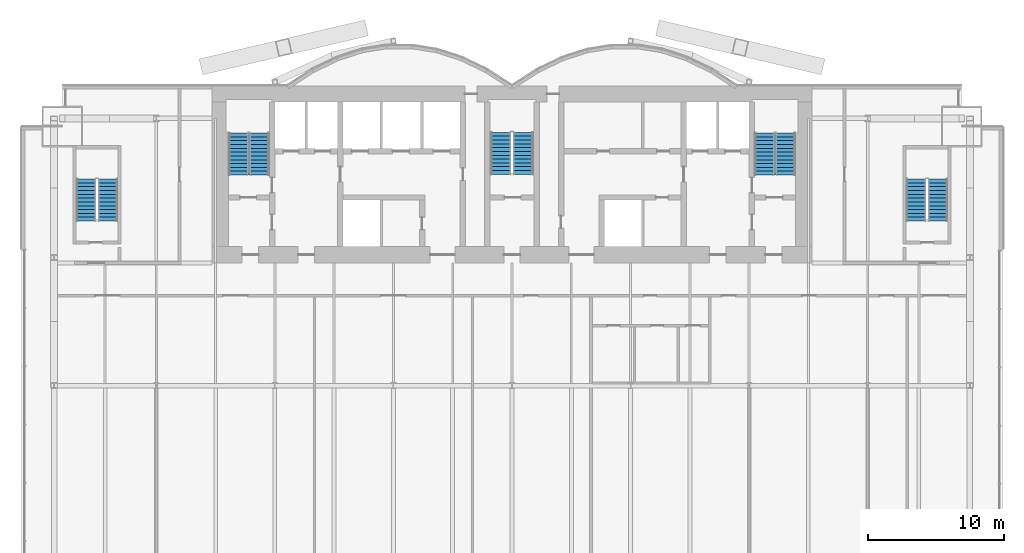
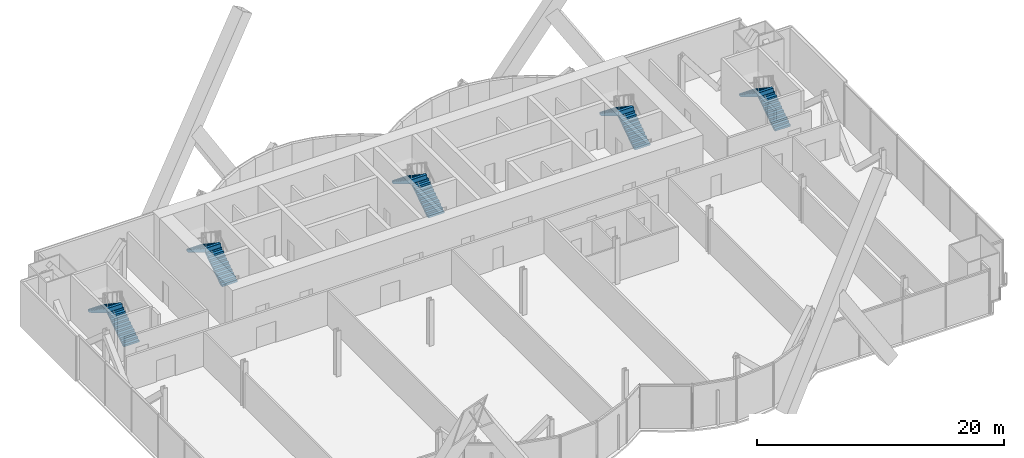
# One storey, part 20 of 23: 10 stair flights, 5 elements without a shape of their own.
"""IFC4 building model written with IfcOpenShell, lengths in metres."""

from ifc_helpers import new_model, si_unit, direction, frame, origin, place, context, subcontext, project, spatial, polyline, outline, extrude, material, type_object, element, aggregate, save


model = new_model("IFC4")

# Units and contexts
model_context = context("Model", 3, precision=1e-05, world=origin(), true_north=direction((0.0, 1.0)))
body_context = subcontext(model_context, "Body", "Model", "MODEL_VIEW")
ifc_project = project(units=[si_unit("LENGTHUNIT", "METRE"), si_unit("AREAUNIT", "SQUARE_METRE"), si_unit("VOLUMEUNIT", "CUBIC_METRE"), si_unit("PLANEANGLEUNIT", "RADIAN"), si_unit("MASSUNIT", "GRAM", prefix="KILO")], contexts=[model_context])

# Site, building, storey
site_placement = place(None, origin())
site = spatial("IfcSite", under=ifc_project, at=site_placement, CompositionType="ELEMENT")
building_placement = place(site_placement, origin())
building = spatial("IfcBuilding", under=site, at=building_placement, Name="Bicima Exchange Tower", CompositionType="ELEMENT")
storey_placement = place(building_placement, frame((0.0, 0.0, 53.0)))
storey = spatial("IfcBuildingStorey", under=building, at=storey_placement, Name="L10", CompositionType="ELEMENT", Elevation=53.0)

# Stair, stair flights
ifc_material = material(Name="Concrete C50/60", Category="concrete")
stair_type_1 = type_object("IfcStairType", Name="Exit stair", PredefinedType="HALF_TURN_STAIR", material=ifc_material)
stair_1_placement = place(storey_placement, origin())
stair_1 = element("IfcStair", 1, at=stair_1_placement, inside=storey, type_object=stair_type_1, Name="L10 West exit stair", PredefinedType="HALF_TURN_STAIR")
stair_flight_type_1 = type_object("IfcStairFlightType", Name="Stair flight RC", PredefinedType="STRAIGHT", material=ifc_material)
stair_flight_1_placement = place(storey_placement, frame((-18.52490234375, -6.550048828125, 0.0), z_axis=(0.0, 0.0, 1.0), x_axis=(0.0, 1.0, 0.0)))
stair_flight_1 = element("IfcStairFlight", 2, at=stair_flight_1_placement, type_object=stair_flight_type_1, Name="ST-W flight 1", NumberOfRisers=12, NumberOfTreads=11, PredefinedType="STRAIGHT", RiserHeight=0.1875, TreadLength=0.28, context=body_context, shape_type="SweptSolid", body=[
    extrude(outline(polyline([(0.0, 0.0), (0.0, 0.1875), (0.280029296875, 0.1875), (0.280029296875, 0.375), (0.56005859375, 0.375), (0.56005859375, 0.5625), (0.840087890625, 0.5625), (0.840087890625, 0.75), (1.1201171875, 0.75), (1.1201171875, 0.9375), (1.39990234375, 0.9375), (1.39990234375, 1.125), (1.679931640625, 1.125), (1.679931640625, 1.3125), (1.9599609375, 1.3125), (1.9599609375, 1.5), (2.239990234375, 1.5), (2.239990234375, 1.6875), (2.52001953125, 1.6875), (2.52001953125, 1.875), (2.800048828125, 1.875), (2.800048828125, 2.0625), (3.080078125, 2.0625), (3.080078125, 2.25), (3.080078125, 1.882080078125), (0.26953125, 0.0), (0.0, 0.0)])), frame((0.0, 0.72509765625, 0.0), z_axis=(0.0, -1.0, 0.0), x_axis=(1.0, 0.0, 0.0)), (0.0, 0.0, 1.0), 1.449951171875),
])
stair_flight_2_placement = place(storey_placement, frame((-20.074951171875, -3.469970703125, 2.25), z_axis=(0.0, 0.0, 1.0), x_axis=(0.0, -1.0, 0.0)))
stair_flight_2 = element("IfcStairFlight", 3, at=stair_flight_2_placement, type_object=stair_flight_type_1, Name="ST-W flight 2", NumberOfRisers=12, NumberOfTreads=11, PredefinedType="STRAIGHT", RiserHeight=0.1875, TreadLength=0.28, context=body_context, shape_type="SweptSolid", body=[
    extrude(outline(polyline([(0.0, 0.0), (0.0, 0.1875), (0.280029296875, 0.1875), (0.280029296875, 0.375), (0.56005859375, 0.375), (0.56005859375, 0.5625), (0.840087890625, 0.5625), (0.840087890625, 0.75), (1.1201171875, 0.75), (1.1201171875, 0.9375), (1.39990234375, 0.9375), (1.39990234375, 1.125), (1.679931640625, 1.125), (1.679931640625, 1.3125), (1.9599609375, 1.3125), (1.9599609375, 1.5), (2.239990234375, 1.5), (2.239990234375, 1.6875), (2.52001953125, 1.6875), (2.52001953125, 1.875), (2.800048828125, 1.875), (2.800048828125, 2.0625), (3.080078125, 2.0625), (3.080078125, 2.10400390625), (3.094970703125, 2.10400390625), (3.094970703125, 1.70458984375), (0.26953125, 0.0), (0.0, 0.0)])), frame((0.0, 0.72509765625, 0.0), z_axis=(0.0, -1.0, 0.0), x_axis=(1.0, 0.0, 0.0)), (0.0, 0.0, 1.0), 1.449951171875),
])
aggregate(stair_1, [stair_flight_1, stair_flight_2])

stair_2_placement = place(storey_placement, origin())
stair_2 = element("IfcStair", 4, at=stair_2_placement, inside=storey, type_object=stair_type_1, Name="L10 East exit stair", PredefinedType="HALF_TURN_STAIR")
stair_flight_3_placement = place(storey_placement, frame((20.074951171875, -6.550048828125, 0.0), z_axis=(0.0, 0.0, 1.0), x_axis=(0.0, 1.0, 0.0)))
stair_flight_3 = element("IfcStairFlight", 5, at=stair_flight_3_placement, type_object=stair_flight_type_1, Name="ST-E flight 1", NumberOfRisers=12, NumberOfTreads=11, PredefinedType="STRAIGHT", RiserHeight=0.1875, TreadLength=0.28, context=body_context, shape_type="SweptSolid", body=[
    extrude(outline(polyline([(0.0, 0.0), (0.0, 0.1875), (0.280029296875, 0.1875), (0.280029296875, 0.375), (0.56005859375, 0.375), (0.56005859375, 0.5625), (0.840087890625, 0.5625), (0.840087890625, 0.75), (1.1201171875, 0.75), (1.1201171875, 0.9375), (1.39990234375, 0.9375), (1.39990234375, 1.125), (1.679931640625, 1.125), (1.679931640625, 1.3125), (1.9599609375, 1.3125), (1.9599609375, 1.5), (2.239990234375, 1.5), (2.239990234375, 1.6875), (2.52001953125, 1.6875), (2.52001953125, 1.875), (2.800048828125, 1.875), (2.800048828125, 2.0625), (3.080078125, 2.0625), (3.080078125, 2.25), (3.080078125, 1.882080078125), (0.26953125, 0.0), (0.0, 0.0)])), frame((0.0, 0.72509765625, 0.0), z_axis=(0.0, -1.0, 0.0), x_axis=(1.0, 0.0, 0.0)), (0.0, 0.0, 1.0), 1.449951171875),
])
stair_flight_4_placement = place(storey_placement, frame((18.52490234375, -3.469970703125, 2.25), z_axis=(0.0, 0.0, 1.0), x_axis=(0.0, -1.0, 0.0)))
stair_flight_4 = element("IfcStairFlight", 6, at=stair_flight_4_placement, type_object=stair_flight_type_1, Name="ST-E flight 2", NumberOfRisers=12, NumberOfTreads=11, PredefinedType="STRAIGHT", RiserHeight=0.1875, TreadLength=0.28, context=body_context, shape_type="SweptSolid", body=[
    extrude(outline(polyline([(0.0, 0.0), (0.0, 0.1875), (0.280029296875, 0.1875), (0.280029296875, 0.375), (0.56005859375, 0.375), (0.56005859375, 0.5625), (0.840087890625, 0.5625), (0.840087890625, 0.75), (1.1201171875, 0.75), (1.1201171875, 0.9375), (1.39990234375, 0.9375), (1.39990234375, 1.125), (1.679931640625, 1.125), (1.679931640625, 1.3125), (1.9599609375, 1.3125), (1.9599609375, 1.5), (2.239990234375, 1.5), (2.239990234375, 1.6875), (2.52001953125, 1.6875), (2.52001953125, 1.875), (2.800048828125, 1.875), (2.800048828125, 2.0625), (3.080078125, 2.0625), (3.080078125, 2.10400390625), (3.094970703125, 2.10400390625), (3.094970703125, 1.70458984375), (0.26953125, 0.0), (0.0, 0.0)])), frame((0.0, 0.72509765625, 0.0), z_axis=(0.0, -1.0, 0.0), x_axis=(1.0, 0.0, 0.0)), (0.0, 0.0, 1.0), 1.449951171875),
])
aggregate(stair_2, [stair_flight_3, stair_flight_4])

stair_3_placement = place(storey_placement, origin())
stair_3 = element("IfcStair", 7, at=stair_3_placement, inside=storey, type_object=stair_type_1, Name="L10 West end exit stair", PredefinedType="HALF_TURN_STAIR")
stair_flight_5_placement = place(storey_placement, frame((-29.64990234375, -9.925048828125, 0.0), z_axis=(0.0, 0.0, 1.0), x_axis=(0.0, 1.0, 0.0)))
stair_flight_5 = element("IfcStairFlight", 8, at=stair_flight_5_placement, type_object=stair_flight_type_1, Name="ST-WW flight 1", NumberOfRisers=12, NumberOfTreads=11, PredefinedType="STRAIGHT", RiserHeight=0.1875, TreadLength=0.28, context=body_context, shape_type="SweptSolid", body=[
    extrude(outline(polyline([(0.0, 0.0), (0.0, 0.1875), (0.280029296875, 0.1875), (0.280029296875, 0.375), (0.56005859375, 0.375), (0.56005859375, 0.5625), (0.840087890625, 0.5625), (0.840087890625, 0.75), (1.1201171875, 0.75), (1.1201171875, 0.9375), (1.39990234375, 0.9375), (1.39990234375, 1.125), (1.679931640625, 1.125), (1.679931640625, 1.3125), (1.9599609375, 1.3125), (1.9599609375, 1.5), (2.239990234375, 1.5), (2.239990234375, 1.6875), (2.52001953125, 1.6875), (2.52001953125, 1.875), (2.800048828125, 1.875), (2.800048828125, 2.0625), (3.080078125, 2.0625), (3.080078125, 2.25), (3.080078125, 1.882080078125), (0.26953125, 0.0), (0.0, 0.0)])), frame((0.0, 0.72509765625, 0.0), z_axis=(0.0, -1.0, 0.0), x_axis=(1.0, 0.0, 0.0)), (0.0, 0.0, 1.0), 1.449951171875),
])
stair_flight_6_placement = place(storey_placement, frame((-31.25, -6.844970703125, 2.25), z_axis=(0.0, 0.0, 1.0), x_axis=(0.0, -1.0, 0.0)))
stair_flight_6 = element("IfcStairFlight", 9, at=stair_flight_6_placement, type_object=stair_flight_type_1, Name="ST-WW flight 2", NumberOfRisers=12, NumberOfTreads=11, PredefinedType="STRAIGHT", RiserHeight=0.1875, TreadLength=0.28, context=body_context, shape_type="SweptSolid", body=[
    extrude(outline(polyline([(0.0, 0.0), (0.0, 0.1875), (0.280029296875, 0.1875), (0.280029296875, 0.375), (0.56005859375, 0.375), (0.56005859375, 0.5625), (0.840087890625, 0.5625), (0.840087890625, 0.75), (1.1201171875, 0.75), (1.1201171875, 0.9375), (1.39990234375, 0.9375), (1.39990234375, 1.125), (1.679931640625, 1.125), (1.679931640625, 1.3125), (1.9599609375, 1.3125), (1.9599609375, 1.5), (2.239990234375, 1.5), (2.239990234375, 1.6875), (2.52001953125, 1.6875), (2.52001953125, 1.875), (2.800048828125, 1.875), (2.800048828125, 2.0625), (3.080078125, 2.0625), (3.080078125, 2.10400390625), (3.094970703125, 2.10400390625), (3.094970703125, 1.70458984375), (0.26953125, 0.0), (0.0, 0.0)])), frame((0.0, 0.72509765625, 0.0), z_axis=(0.0, -1.0, 0.0), x_axis=(1.0, 0.0, 0.0)), (0.0, 0.0, 1.0), 1.449951171875),
])
aggregate(stair_3, [stair_flight_5, stair_flight_6])

stair_4_placement = place(storey_placement, origin())
stair_4 = element("IfcStair", 10, at=stair_4_placement, inside=storey, type_object=stair_type_1, Name="L10 East end exit stair", PredefinedType="HALF_TURN_STAIR")
stair_flight_7_placement = place(storey_placement, frame((31.25, -9.925048828125, 0.0), z_axis=(0.0, 0.0, 1.0), x_axis=(0.0, 1.0, 0.0)))
stair_flight_7 = element("IfcStairFlight", 11, at=stair_flight_7_placement, type_object=stair_flight_type_1, Name="ST-EE flight 1", NumberOfRisers=12, NumberOfTreads=11, PredefinedType="STRAIGHT", RiserHeight=0.1875, TreadLength=0.28, context=body_context, shape_type="SweptSolid", body=[
    extrude(outline(polyline([(0.0, 0.0), (0.0, 0.1875), (0.280029296875, 0.1875), (0.280029296875, 0.375), (0.56005859375, 0.375), (0.56005859375, 0.5625), (0.840087890625, 0.5625), (0.840087890625, 0.75), (1.1201171875, 0.75), (1.1201171875, 0.9375), (1.39990234375, 0.9375), (1.39990234375, 1.125), (1.679931640625, 1.125), (1.679931640625, 1.3125), (1.9599609375, 1.3125), (1.9599609375, 1.5), (2.239990234375, 1.5), (2.239990234375, 1.6875), (2.52001953125, 1.6875), (2.52001953125, 1.875), (2.800048828125, 1.875), (2.800048828125, 2.0625), (3.080078125, 2.0625), (3.080078125, 2.25), (3.080078125, 1.882080078125), (0.26953125, 0.0), (0.0, 0.0)])), frame((0.0, 0.72509765625, 0.0), z_axis=(0.0, -1.0, 0.0), x_axis=(1.0, 0.0, 0.0)), (0.0, 0.0, 1.0), 1.449951171875),
])
stair_flight_8_placement = place(storey_placement, frame((29.64990234375, -6.844970703125, 2.25), z_axis=(0.0, 0.0, 1.0), x_axis=(0.0, -1.0, 0.0)))
stair_flight_8 = element("IfcStairFlight", 12, at=stair_flight_8_placement, type_object=stair_flight_type_1, Name="ST-EE flight 2", NumberOfRisers=12, NumberOfTreads=11, PredefinedType="STRAIGHT", RiserHeight=0.1875, TreadLength=0.28, context=body_context, shape_type="SweptSolid", body=[
    extrude(outline(polyline([(0.0, 0.0), (0.0, 0.1875), (0.280029296875, 0.1875), (0.280029296875, 0.375), (0.56005859375, 0.375), (0.56005859375, 0.5625), (0.840087890625, 0.5625), (0.840087890625, 0.75), (1.1201171875, 0.75), (1.1201171875, 0.9375), (1.39990234375, 0.9375), (1.39990234375, 1.125), (1.679931640625, 1.125), (1.679931640625, 1.3125), (1.9599609375, 1.3125), (1.9599609375, 1.5), (2.239990234375, 1.5), (2.239990234375, 1.6875), (2.52001953125, 1.6875), (2.52001953125, 1.875), (2.800048828125, 1.875), (2.800048828125, 2.0625), (3.080078125, 2.0625), (3.080078125, 2.10400390625), (3.094970703125, 2.10400390625), (3.094970703125, 1.70458984375), (0.26953125, 0.0), (0.0, 0.0)])), frame((0.0, 0.72509765625, 0.0), z_axis=(0.0, -1.0, 0.0), x_axis=(1.0, 0.0, 0.0)), (0.0, 0.0, 1.0), 1.449951171875),
])
aggregate(stair_4, [stair_flight_7, stair_flight_8])

stair_type_2 = type_object("IfcStairType", Name="Exit stair 1500", PredefinedType="HALF_TURN_STAIR", material=ifc_material)
stair_5_placement = place(storey_placement, origin())
stair_5 = element("IfcStair", 13, at=stair_5_placement, inside=storey, type_object=stair_type_2, Name="L10 Central exit stair", PredefinedType="HALF_TURN_STAIR")
stair_flight_type_2 = type_object("IfcStairFlightType", Name="Stair flight RC 1500", PredefinedType="STRAIGHT", material=ifc_material)
stair_flight_9_placement = place(storey_placement, frame((0.824951171875, -6.5, 0.0), z_axis=(0.0, 0.0, 1.0), x_axis=(0.0, 1.0, 0.0)))
stair_flight_9 = element("IfcStairFlight", 14, at=stair_flight_9_placement, type_object=stair_flight_type_2, Name="ST-C flight 1", NumberOfRisers=12, NumberOfTreads=11, PredefinedType="STRAIGHT", RiserHeight=0.1875, TreadLength=0.28, context=body_context, shape_type="SweptSolid", body=[
    extrude(outline(polyline([(0.0, 0.0), (0.0, 0.1875), (0.280029296875, 0.1875), (0.280029296875, 0.375), (0.56005859375, 0.375), (0.56005859375, 0.5625), (0.840087890625, 0.5625), (0.840087890625, 0.75), (1.1201171875, 0.75), (1.1201171875, 0.9375), (1.39990234375, 0.9375), (1.39990234375, 1.125), (1.679931640625, 1.125), (1.679931640625, 1.3125), (1.9599609375, 1.3125), (1.9599609375, 1.5), (2.239990234375, 1.5), (2.239990234375, 1.6875), (2.52001953125, 1.6875), (2.52001953125, 1.875), (2.800048828125, 1.875), (2.800048828125, 2.0625), (3.080078125, 2.0625), (3.080078125, 2.25), (3.080078125, 1.882080078125), (0.26953125, 0.0), (0.0, 0.0)])), frame((0.0, 0.75, 0.0), z_axis=(0.0, -1.0, 0.0), x_axis=(1.0, 0.0, 0.0)), (0.0, 0.0, 1.0), 1.5),
])
stair_flight_10_placement = place(storey_placement, frame((-0.824951171875, -3.419921875, 2.25), z_axis=(0.0, 0.0, 1.0), x_axis=(0.0, -1.0, 0.0)))
stair_flight_10 = element("IfcStairFlight", 15, at=stair_flight_10_placement, type_object=stair_flight_type_2, Name="ST-C flight 2", NumberOfRisers=12, NumberOfTreads=11, PredefinedType="STRAIGHT", RiserHeight=0.1875, TreadLength=0.28, context=body_context, shape_type="SweptSolid", body=[
    extrude(outline(polyline([(0.0, 0.0), (0.0, 0.1875), (0.280029296875, 0.1875), (0.280029296875, 0.375), (0.56005859375, 0.375), (0.56005859375, 0.5625), (0.840087890625, 0.5625), (0.840087890625, 0.75), (1.1201171875, 0.75), (1.1201171875, 0.9375), (1.39990234375, 0.9375), (1.39990234375, 1.125), (1.679931640625, 1.125), (1.679931640625, 1.3125), (1.9599609375, 1.3125), (1.9599609375, 1.5), (2.239990234375, 1.5), (2.239990234375, 1.6875), (2.52001953125, 1.6875), (2.52001953125, 1.875), (2.800048828125, 1.875), (2.800048828125, 2.0625), (3.080078125, 2.0625), (3.080078125, 2.10400390625), (3.094970703125, 2.10400390625), (3.094970703125, 1.70458984375), (0.26953125, 0.0), (0.0, 0.0)])), frame((0.0, 0.75, 0.0), z_axis=(0.0, -1.0, 0.0), x_axis=(1.0, 0.0, 0.0)), (0.0, 0.0, 1.0), 1.5),
])
aggregate(stair_5, [stair_flight_9, stair_flight_10])

save(model, "model.ifc")
